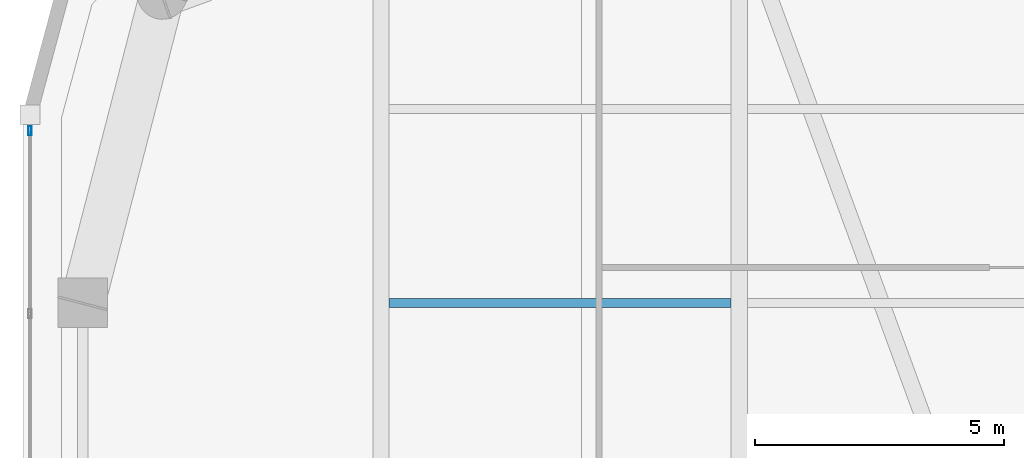
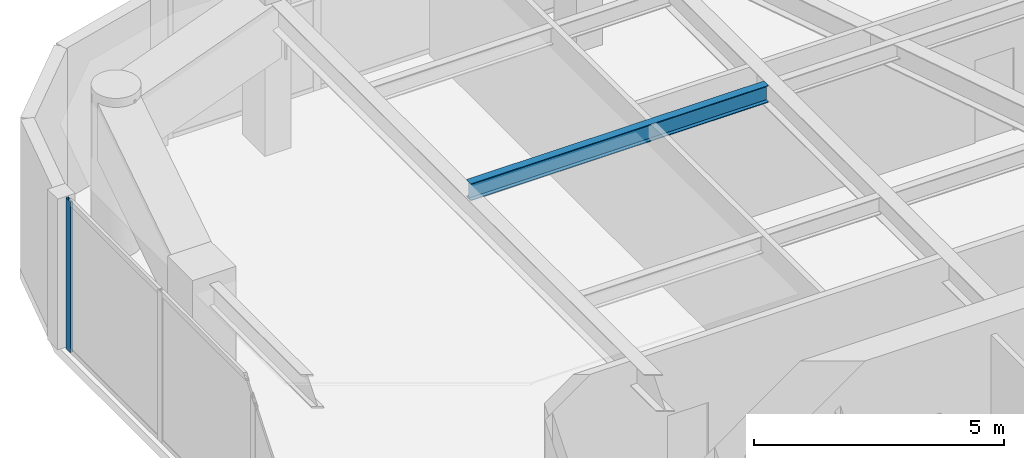
# One storey, part 8 of 21: 1 beam, 1 member, 1 element without a shape of its own.
"""IFC4 building model written with IfcOpenShell, lengths in metres."""

from ifc_helpers import new_model, si_unit, direction, frame, origin, origin_2d, place, context, subcontext, project, spatial, hollow_rectangle, i_section, extrude, material, layer, layer_set, material_profile, profile_set, type_object, element, aggregate, save


model = new_model("IFC4")

# Units and contexts
model_context = context("Model", 3, precision=1e-05, world=origin(), true_north=direction((0.0, 1.0)))
body_context = subcontext(model_context, "Body", "Model", "MODEL_VIEW")
ifc_project = project(units=[si_unit("LENGTHUNIT", "METRE"), si_unit("AREAUNIT", "SQUARE_METRE"), si_unit("VOLUMEUNIT", "CUBIC_METRE"), si_unit("PLANEANGLEUNIT", "RADIAN"), si_unit("MASSUNIT", "GRAM", prefix="KILO")], contexts=[model_context])

# Site, building, storey
site_placement = place(None, origin())
site = spatial("IfcSite", under=ifc_project, at=site_placement, CompositionType="ELEMENT")
building_placement = place(site_placement, origin())
building = spatial("IfcBuilding", under=site, at=building_placement, Name="Kiyonajd Concourse Tower", CompositionType="ELEMENT")
storey_placement = place(building_placement, frame((0.0, 0.0, 231.0)))
storey = spatial("IfcBuildingStorey", under=building, at=storey_placement, Name="L58", CompositionType="ELEMENT", Elevation=231.0)

# Beam
ifc_material_1 = material(Name="Steel ASTM A992 Grade 50", Category="steel")
ifc_material_profile_1 = material_profile(ifc_material_1, i_section(OverallWidth=0.180908203125, OverallDepth=0.4169921875, WebThickness=0.010986328125, FlangeThickness=0.018310546875, at=origin_2d()), Name="W410X85")
ifc_profile_set_1 = profile_set([ifc_material_profile_1], Name="Steel ASTM A992 Grade 50")
beam_type = type_object("IfcBeamType", Name="BM-JST-410", PredefinedType="JOIST", material=ifc_profile_set_1)
beam_placement = place(storey_placement, frame((32.56201171875, 53.39990234375, 3.471435546875), z_axis=(1.0, 0.0, 0.0), x_axis=(0.0, 1.0, 0.0)))
element("IfcBeam", 1, at=beam_placement, inside=storey, type_object=beam_type, Name="L58 Secondary Floor Joist", PredefinedType="JOIST", context=body_context, shape_type="SweptSolid", body=[
    extrude(i_section(OverallWidth=0.180908203125, OverallDepth=0.4169921875, WebThickness=0.010986328125, FlangeThickness=0.018310546875, at=origin_2d()), origin(), (0.0, 0.0, 1.0), 6.8759765625),
])

# Curtain wall, member
ifc_material_2 = material(Name="Thermally Broken Anodised Aluminium", Category="aluminium")
ifc_layer = layer(ifc_material_2, 0.179931640625)
ifc_layer_set = layer_set([ifc_layer], Name="Thermally Broken Anodised Aluminium")
curtain_wall_type = type_object("IfcCurtainWallType", Name="CW-SYS-04", PredefinedType="NOTDEFINED", material=ifc_layer_set)
curtain_wall_placement = place(storey_placement, origin())
curtain_wall = element("IfcCurtainWall", 2, at=curtain_wall_placement, inside=storey, type_object=curtain_wall_type, Name="L58 Unitised Curtain Wall CW4", PredefinedType="NOTDEFINED")
ifc_material_profile_2 = material_profile(ifc_material_2, hollow_rectangle(XDim=0.06494140625, YDim=0.179931640625, WallThickness=0.00390625, at=origin_2d()), Name="MULL-65x180")
ifc_profile_set_2 = profile_set([ifc_material_profile_2], Name="Thermally Broken Anodised Aluminium")
member_type = type_object("IfcMemberType", Name="MB-CW-MULL1", PredefinedType="MULLION", material=ifc_profile_set_2)
member_placement = place(storey_placement, frame((25.340087890625, 56.859130859375, 0.0), z_axis=(0.0, 0.0, 1.0), x_axis=(-1.0, 0.0, 0.0)))
member = element("IfcMember", 3, at=member_placement, type_object=member_type, Name="CW4 mullion 7", PredefinedType="MULLION", context=body_context, shape_type="SweptSolid", body=[
    extrude(hollow_rectangle(XDim=0.06494140625, YDim=0.179931640625, WallThickness=0.00390625, at=origin_2d()), origin(), (0.0, 0.0, 1.0), 3.679931640625),
])
aggregate(curtain_wall, [member])

save(model, "model.ifc")
